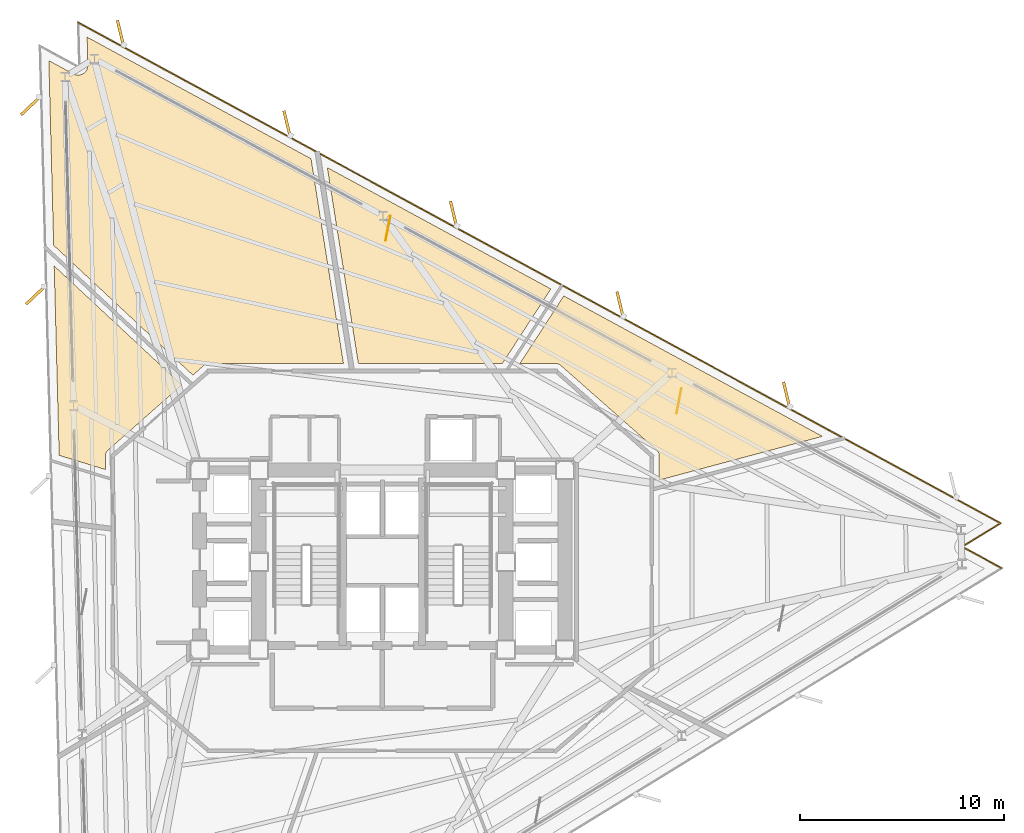
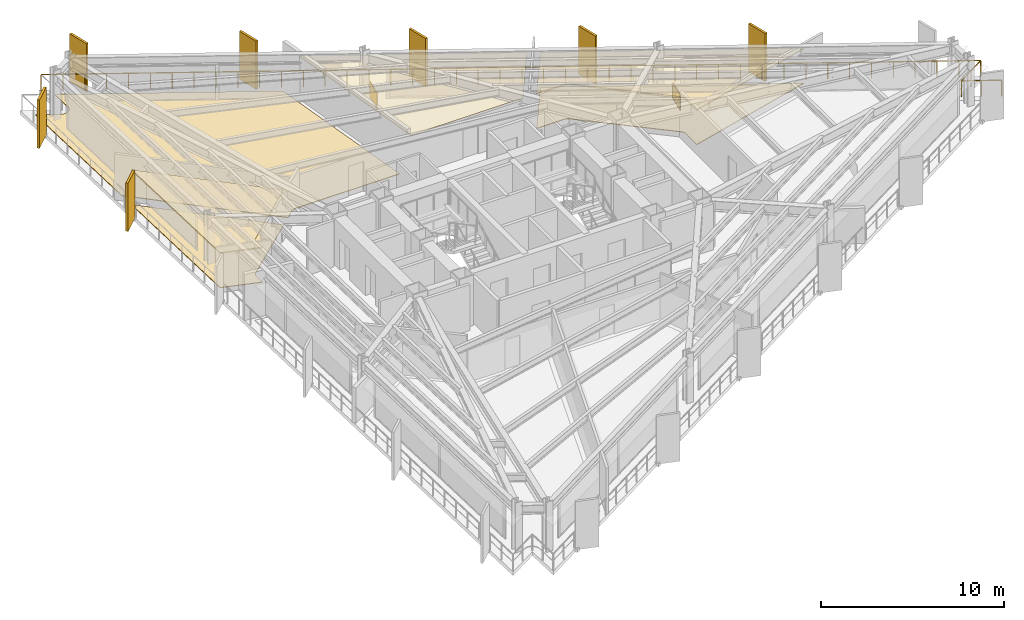
# One storey, part 14 of 14: 8 coverings, 7 shading devices, 1 railing.
"""IFC4 building model written with IfcOpenShell, lengths in metres."""

from ifc_helpers import new_model, si_unit, direction, frame, origin, origin_2d, place, context, subcontext, project, spatial, polyline, rectangle, outline, extrude, material, layer, layer_set, type_object, element, save


model = new_model("IFC4")

# Units and contexts
model_context = context("Model", 3, precision=1e-05, world=origin(), true_north=direction((0.0, 1.0)))
body_context = subcontext(model_context, "Body", "Model", "MODEL_VIEW")
ifc_project = project(units=[si_unit("LENGTHUNIT", "METRE"), si_unit("AREAUNIT", "SQUARE_METRE"), si_unit("VOLUMEUNIT", "CUBIC_METRE"), si_unit("PLANEANGLEUNIT", "RADIAN"), si_unit("MASSUNIT", "GRAM", prefix="KILO")], contexts=[model_context])

# Site, building, storey
site_placement = place(None, origin())
site = spatial("IfcSite", under=ifc_project, at=site_placement, CompositionType="ELEMENT")
building_placement = place(site_placement, origin())
building = spatial("IfcBuilding", under=site, at=building_placement, Name="Rocaltana Carrier Exchange", CompositionType="ELEMENT")
storey_placement = place(building_placement, frame((0.0, 0.0, 35.679931640625)))
storey = spatial("IfcBuildingStorey", under=building, at=storey_placement, Name="L11", CompositionType="ELEMENT", Elevation=35.679931640625)

# Coverings
ifc_material_1 = material(Name="Honed Bogota Sandstone Tile", Category="masonry")
ifc_layer_1 = layer(ifc_material_1, 0.0400390625)
ifc_layer_set_1 = layer_set([ifc_layer_1], Name="Honed Bogota Sandstone Tile")
covering_type_1 = type_object("IfcCoveringType", Name="Honed Stone Lobby Flooring 40", PredefinedType="FLOORING", material=ifc_layer_set_1)
covering_1_placement = place(storey_placement, origin())
element("IfcCovering", 1, at=covering_1_placement, inside=storey, type_object=covering_type_1, Name="L11 Peering Conference Room Finish Floor", PredefinedType="FLOORING", context=body_context, shape_type="SweptSolid", body=[
    extrude(outline(polyline([(21.55126953125, 6.1474609375), (13.56005859375, 4.006103515625), (13.56005859375, 5.199951171875), (13.559814453125, 5.213134765625), (13.559326171875, 5.220703125), (13.556884765625, 5.246826171875), (13.555908203125, 5.25439453125), (13.55078125, 5.2802734375), (13.549072265625, 5.28759765625), (13.541748046875, 5.31298828125), (13.539306640625, 5.320068359375), (13.529541015625, 5.344482421875), (13.526611328125, 5.351318359375), (13.5146484375, 5.375), (13.5107421875, 5.38134765625), (13.49658203125, 5.40380859375), (13.492431640625, 5.409912109375), (13.476318359375, 5.4306640625), (13.471435546875, 5.436279296875), (13.453369140625, 5.455810546875), (13.447998046875, 5.4609375), (13.438232421875, 5.469970703125), (8.73828125, 9.619873046875), (8.727294921875, 9.629150390625), (8.720703125, 9.63427734375), (8.697265625, 9.651123046875), (8.690185546875, 9.655517578125), (8.6650390625, 9.669921875), (8.65771484375, 9.673583984375), (8.631103515625, 9.68505859375), (8.62353515625, 9.68798828125), (8.595947265625, 9.697021484375), (8.587890625, 9.698974609375), (8.5595703125, 9.704833984375), (8.551513671875, 9.706298828125), (8.522705078125, 9.709228515625), (8.514404296875, 9.709716796875), (8.5, 9.7099609375), (6.735107421875, 9.7099609375), (8.886962890625, 13.023681640625), (21.55126953125, 6.1474609375)])), origin(), (0.0, 0.0, 1.0), 0.0400390625),
])
covering_2_placement = place(storey_placement, origin())
element("IfcCovering", 2, at=covering_2_placement, inside=storey, type_object=covering_type_1, Name="L11 Incident Briefing Room Finish Floor", PredefinedType="FLOORING", context=body_context, shape_type="SweptSolid", body=[
    extrude(outline(polyline([(-16.333984375, 24.54931640625), (-15.131103515625, 23.896484375), (-15.118896484375, 23.889892578125), (-15.100830078125, 23.88134765625), (-15.0751953125, 23.87060546875), (-15.056396484375, 23.86376953125), (-15.02978515625, 23.855712890625), (-15.01025390625, 23.8505859375), (-14.98291015625, 23.84521484375), (-14.96337890625, 23.84228515625), (-14.935546875, 23.839599609375), (-14.91552734375, 23.83837890625), (-14.8876953125, 23.838623046875), (-14.86767578125, 23.839599609375), (-14.840087890625, 23.84228515625), (-14.8203125, 23.845458984375), (-14.79296875, 23.85107421875), (-14.773681640625, 23.85595703125), (-14.746826171875, 23.8642578125), (-14.728271484375, 23.87109375), (-14.702392578125, 23.8818359375), (-14.6845703125, 23.890625), (-14.659912109375, 23.90380859375), (-14.64306640625, 23.914306640625), (-14.6201171875, 23.93017578125), (-14.60400390625, 23.942138671875), (-14.582763671875, 23.960205078125), (-14.568115234375, 23.9736328125), (-14.548583984375, 23.99365234375), (-14.535400390625, 24.0087890625), (-14.51806640625, 24.030517578125), (-14.506591796875, 24.046630859375), (-14.491455078125, 24.0703125), (-14.4814453125, 24.08740234375), (-14.46875, 24.1123046875), (-14.460693359375, 24.130615234375), (-14.450439453125, 24.156494140625), (-14.444091796875, 24.17529296875), (-14.4365234375, 24.202392578125), (-14.43212890625, 24.2216796875), (-14.42724609375, 24.249267578125), (-14.4248046875, 24.26904296875), (-14.4228515625, 24.296875), (-14.42236328125, 24.31689453125), (-14.42236328125, 24.330810546875), (-14.458251953125, 25.698974609375), (-3.49169921875, 19.74462890625), (-1.90234375, 9.7099609375), (-8.5, 9.7099609375), (-8.514404296875, 9.709716796875), (-8.522705078125, 9.709228515625), (-8.551513671875, 9.706298828125), (-8.5595703125, 9.704833984375), (-8.587890625, 9.698974609375), (-8.595947265625, 9.697021484375), (-8.62353515625, 9.68798828125), (-8.631103515625, 9.68505859375), (-8.65771484375, 9.673583984375), (-8.6650390625, 9.669921875), (-8.690185546875, 9.655517578125), (-8.697265625, 9.651123046875), (-8.720703125, 9.63427734375), (-8.727294921875, 9.629150390625), (-8.73828125, 9.619873046875), (-9.277587890625, 9.143798828125), (-16.09716796875, 15.5029296875), (-16.333984375, 24.54931640625)])), origin(), (0.0, 0.0, 1.0), 0.0400390625),
])
covering_3_placement = place(storey_placement, origin())
element("IfcCovering", 3, at=covering_3_placement, inside=storey, type_object=covering_type_1, Name="L11 Carrier Peering Suite Finish Floor", PredefinedType="FLOORING", context=body_context, shape_type="SweptSolid", body=[
    extrude(outline(polyline([(-16.07080078125, 14.493896484375), (-9.81982421875, 8.664794921875), (-13.438232421875, 5.469970703125), (-13.447998046875, 5.4609375), (-13.453369140625, 5.455810546875), (-13.471435546875, 5.436279296875), (-13.476318359375, 5.4306640625), (-13.492431640625, 5.409912109375), (-13.49658203125, 5.40380859375), (-13.5107421875, 5.38134765625), (-13.5146484375, 5.375), (-13.526611328125, 5.351318359375), (-13.529541015625, 5.344482421875), (-13.539306640625, 5.320068359375), (-13.541748046875, 5.31298828125), (-13.549072265625, 5.28759765625), (-13.55078125, 5.2802734375), (-13.555908203125, 5.25439453125), (-13.556884765625, 5.246826171875), (-13.559326171875, 5.220703125), (-13.559814453125, 5.213134765625), (-13.56005859375, 5.199951171875), (-13.56005859375, 4.522216796875), (-15.82763671875, 5.215576171875), (-16.07080078125, 14.493896484375)])), origin(), (0.0, 0.0, 1.0), 0.0400390625),
])
ifc_material_2 = material(Name="Anodised Aluminium 6063-T6", Category="aluminium")
ifc_layer_2 = layer(ifc_material_2, 0.0849609375)
ifc_layer_set_2 = layer_set([ifc_layer_2], Name="Anodised Aluminium 6063-T6")
covering_type_2 = type_object("IfcCoveringType", Name="Linear Baffle Acoustic Ceiling 85", PredefinedType="CEILING", material=ifc_layer_set_2)
covering_4_placement = place(storey_placement, frame((0.0, 0.0, 2.282958984375)))
element("IfcCovering", 4, at=covering_4_placement, inside=storey, type_object=covering_type_2, Name="L11 Peering Conference Room Acoustic Ceiling", PredefinedType="CEILING", context=body_context, shape_type="SweptSolid", body=[
    extrude(outline(polyline([(21.55126953125, 6.1474609375), (13.56005859375, 4.006103515625), (13.56005859375, 5.199951171875), (13.559814453125, 5.213134765625), (13.559326171875, 5.220703125), (13.556884765625, 5.246826171875), (13.555908203125, 5.25439453125), (13.55078125, 5.2802734375), (13.549072265625, 5.28759765625), (13.541748046875, 5.31298828125), (13.539306640625, 5.320068359375), (13.529541015625, 5.344482421875), (13.526611328125, 5.351318359375), (13.5146484375, 5.375), (13.5107421875, 5.38134765625), (13.49658203125, 5.40380859375), (13.492431640625, 5.409912109375), (13.476318359375, 5.4306640625), (13.471435546875, 5.436279296875), (13.453369140625, 5.455810546875), (13.447998046875, 5.4609375), (13.438232421875, 5.469970703125), (8.73828125, 9.619873046875), (8.727294921875, 9.629150390625), (8.720703125, 9.63427734375), (8.697265625, 9.651123046875), (8.690185546875, 9.655517578125), (8.6650390625, 9.669921875), (8.65771484375, 9.673583984375), (8.631103515625, 9.68505859375), (8.62353515625, 9.68798828125), (8.595947265625, 9.697021484375), (8.587890625, 9.698974609375), (8.5595703125, 9.704833984375), (8.551513671875, 9.706298828125), (8.522705078125, 9.709228515625), (8.514404296875, 9.709716796875), (8.5, 9.7099609375), (6.735107421875, 9.7099609375), (8.886962890625, 13.023681640625), (21.55126953125, 6.1474609375)])), origin(), (0.0, 0.0, 1.0), 0.085205078125),
])
covering_5_placement = place(storey_placement, frame((0.0, 0.0, 2.282958984375)))
element("IfcCovering", 5, at=covering_5_placement, inside=storey, type_object=covering_type_2, Name="L11 Quiet Focus Lounge Acoustic Ceiling", PredefinedType="CEILING", context=body_context, shape_type="SweptSolid", body=[
    extrude(outline(polyline([(8.252197265625, 13.3681640625), (5.87646484375, 9.7099609375), (-1.17333984375, 9.7099609375), (-2.694091796875, 19.3115234375), (8.252197265625, 13.3681640625)])), origin(), (0.0, 0.0, 1.0), 0.085205078125),
])
covering_6_placement = place(storey_placement, frame((0.0, 0.0, 2.282958984375)))
element("IfcCovering", 6, at=covering_6_placement, inside=storey, type_object=covering_type_2, Name="L11 Carrier Peering Suite Acoustic Ceiling", PredefinedType="CEILING", context=body_context, shape_type="SweptSolid", body=[
    extrude(outline(polyline([(-16.07080078125, 14.493896484375), (-9.81982421875, 8.664794921875), (-13.438232421875, 5.469970703125), (-13.447998046875, 5.4609375), (-13.453369140625, 5.455810546875), (-13.471435546875, 5.436279296875), (-13.476318359375, 5.4306640625), (-13.492431640625, 5.409912109375), (-13.49658203125, 5.40380859375), (-13.5107421875, 5.38134765625), (-13.5146484375, 5.375), (-13.526611328125, 5.351318359375), (-13.529541015625, 5.344482421875), (-13.539306640625, 5.320068359375), (-13.541748046875, 5.31298828125), (-13.549072265625, 5.28759765625), (-13.55078125, 5.2802734375), (-13.555908203125, 5.25439453125), (-13.556884765625, 5.246826171875), (-13.559326171875, 5.220703125), (-13.559814453125, 5.213134765625), (-13.56005859375, 5.199951171875), (-13.56005859375, 4.522216796875), (-15.82763671875, 5.215576171875), (-16.07080078125, 14.493896484375)])), origin(), (0.0, 0.0, 1.0), 0.085205078125),
])
ifc_material_3 = material(Name="Honed Piedra Muneca Sandstone", Category="masonry")
ifc_layer_3 = layer(ifc_material_3, 0.034912109375)
ifc_layer_set_3 = layer_set([ifc_layer_3], Name="Honed Piedra Muneca Sandstone")
covering_type_3 = type_object("IfcCoveringType", Name="Stone Facade Cladding 35", PredefinedType="CLADDING", material=ifc_layer_set_3)
for number, where, z_axis, x_axis, name in (
    (7, (14.529052734375, 7.883544921875, 0.0), (0.0, 0.0, 1.0), (0.190808995377, 0.981627183448, 0.0), "L11 Stone Facade Cladding Panel 6"),
    (8, (0.277587890625, 16.33984375, 0.0), (0.0, 0.0, 1.0), (0.190808995377, 0.981627183448, 0.0), "L11 Stone Facade Cladding Panel 7"),
):
    element("IfcCovering", number, at=place(storey_placement, frame(where, z_axis=z_axis, x_axis=x_axis)), inside=storey, type_object=covering_type_3, Name=name, PredefinedType="CLADDING", context=body_context, shape_type="SweptSolid", body=[
        extrude(rectangle(XDim=1.25, YDim=0.034912109375, at=origin_2d()), origin(), (0.0, 0.0, 1.0), 1.050048828125),
    ])

# Shading devices
ifc_material_4 = material(Name="Honed Bogota Sandstone & Concrete C45/55", Category="masonry")
ifc_layer_4 = layer(ifc_material_4, 0.139892578125)
ifc_layer_set_4 = layer_set([ifc_layer_4], Name="Honed Bogota Sandstone & Concrete C45/55")
shading_device_type = type_object("IfcShadingDeviceType", Name="Vertical Sandstone Shading Fin 1320x140", PredefinedType="USERDEFINED", material=ifc_layer_set_4)
for number, where, z_axis, x_axis, name in (
    (9, (19.802001953125, 8.16748046875, -0.1201171875), (0.0, 0.0, 1.0), (-0.233445363856, 0.972369920398, 0.0), "L11 Sandstone Vertical Fin F1-02"),
    (10, (11.646484375, 12.595703125, -0.1201171875), (0.0, 0.0, 1.0), (-0.233445363856, 0.972369920398, 0.0), "L11 Sandstone Vertical Fin F1-03"),
    (11, (3.4912109375, 17.023681640625, -0.1201171875), (0.0, 0.0, 1.0), (-0.233445363856, 0.972369920398, 0.0), "L11 Sandstone Vertical Fin F1-04"),
    (12, (-4.664306640625, 21.45166015625, -0.1201171875), (0.0, 0.0, 1.0), (-0.233445363856, 0.972369920398, 0.0), "L11 Sandstone Vertical Fin F1-05"),
    (13, (-12.819580078125, 25.879638671875, -0.1201171875), (0.0, 0.0, 1.0), (-0.233445363856, 0.972369920398, 0.0), "L11 Sandstone Vertical Fin F1-06"),
    (14, (-17.21728515625, 22.342041015625, -0.1201171875), (0.0, 0.0, 1.0), (-0.725374371012, -0.688354575694, 0.0), "L11 Sandstone Vertical Fin F2-01"),
    (15, (-16.974365234375, 13.065185546875, -0.1201171875), (0.0, 0.0, 1.0), (-0.725374371012, -0.688354575694, 0.0), "L11 Sandstone Vertical Fin F2-02"),
):
    element("IfcShadingDevice", number, at=place(storey_placement, frame(where, z_axis=z_axis, x_axis=x_axis)), inside=storey, type_object=shading_device_type, Name=name, ObjectType="FIN", PredefinedType="USERDEFINED", context=body_context, shape_type="SweptSolid", body=[
        extrude(rectangle(XDim=1.320068359375, YDim=0.139892578125, at=origin_2d()), origin(), (0.0, 0.0, 1.0), 3.218017578125),
    ])

# Railing
ifc_material_5 = material(Name="Powder-Coated Aluminium 6063-T6", Category="aluminium")
ifc_layer_5 = layer(ifc_material_5, 0.06005859375)
ifc_layer_set_5 = layer_set([ifc_layer_5], Name="Powder-Coated Aluminium 6063-T6")
railing_type = type_object("IfcRailingType", Name="Wind-Floor & Terrace Perimeter Guardrail 1100", PredefinedType="GUARDRAIL", material=ifc_layer_set_5)
railing_placement = place(storey_placement, frame((-14.897216796875, 26.415283203125, 0.0)))
element("IfcRailing", 16, at=railing_placement, inside=storey, type_object=railing_type, Name="L11 Perimeter Balcony Guardrail 3", PredefinedType="GUARDRAIL", context=body_context, shape_type="SweptSolid", body=[
    extrude(rectangle(XDim=0.048095703125, YDim=0.048095703125, at=origin_2d()), frame((0.0, 0.0, 1.076171875), z_axis=(0.878817120119, -0.477158746526, 0.0), x_axis=(0.477158746526, 0.878817120119, 0.0)), (0.0, 0.0, 1.0), 51.39208984375),
    extrude(rectangle(XDim=0.048095703125, YDim=0.048095703125, at=origin_2d()), frame((45.164306640625, -24.522216796875, 1.076171875), z_axis=(-0.852598062579, -0.522567262356, 0.0), x_axis=(0.522567262356, -0.852598062579, 0.0)), (0.0, 0.0, 1.0), 2.199951171875),
    extrude(rectangle(XDim=0.048095703125, YDim=0.048095703125, at=origin_2d()), frame((43.28857421875, -25.671875, 1.076171875), z_axis=(0.878801578058, -0.477187370331, 0.0), x_axis=(0.477187370331, 0.878801578058, 0.0)), (0.0, 0.0, 1.0), 2.199951171875),
    extrude(rectangle(XDim=0.0419921875, YDim=0.0419921875, at=origin_2d()), origin(), (0.0, 0.0, 1.0), 1.052001953125),
    extrude(rectangle(XDim=0.0419921875, YDim=0.0419921875, at=origin_2d()), frame((1.05029296875, -0.5703125, 0.0)), (0.0, 0.0, 1.0), 1.052001953125),
    extrude(rectangle(XDim=0.0419921875, YDim=0.0419921875, at=origin_2d()), frame((2.1005859375, -1.140625, 0.0)), (0.0, 0.0, 1.0), 1.052001953125),
    extrude(rectangle(XDim=0.0419921875, YDim=0.0419921875, at=origin_2d()), frame((3.15087890625, -1.7109375, 0.0)), (0.0, 0.0, 1.0), 1.052001953125),
    extrude(rectangle(XDim=0.0419921875, YDim=0.0419921875, at=origin_2d()), frame((4.201416015625, -2.28125, 0.0)), (0.0, 0.0, 1.0), 1.052001953125),
    extrude(rectangle(XDim=0.0419921875, YDim=0.0419921875, at=origin_2d()), frame((5.251708984375, -2.851318359375, 0.0)), (0.0, 0.0, 1.0), 1.052001953125),
    extrude(rectangle(XDim=0.0419921875, YDim=0.0419921875, at=origin_2d()), frame((6.302001953125, -3.421630859375, 0.0)), (0.0, 0.0, 1.0), 1.052001953125),
    extrude(rectangle(XDim=0.0419921875, YDim=0.0419921875, at=origin_2d()), frame((7.352294921875, -3.991943359375, 0.0)), (0.0, 0.0, 1.0), 1.052001953125),
    extrude(rectangle(XDim=0.0419921875, YDim=0.0419921875, at=origin_2d()), frame((8.402587890625, -4.562255859375, 0.0)), (0.0, 0.0, 1.0), 1.052001953125),
    extrude(rectangle(XDim=0.0419921875, YDim=0.0419921875, at=origin_2d()), frame((9.452880859375, -5.132568359375, 0.0)), (0.0, 0.0, 1.0), 1.052001953125),
    extrude(rectangle(XDim=0.0419921875, YDim=0.0419921875, at=origin_2d()), frame((10.50341796875, -5.702880859375, 0.0)), (0.0, 0.0, 1.0), 1.052001953125),
    extrude(rectangle(XDim=0.0419921875, YDim=0.0419921875, at=origin_2d()), frame((11.5537109375, -6.273193359375, 0.0)), (0.0, 0.0, 1.0), 1.052001953125),
    extrude(rectangle(XDim=0.0419921875, YDim=0.0419921875, at=origin_2d()), frame((12.60400390625, -6.843505859375, 0.0)), (0.0, 0.0, 1.0), 1.052001953125),
    extrude(rectangle(XDim=0.0419921875, YDim=0.0419921875, at=origin_2d()), frame((13.654296875, -7.41357421875, 0.0)), (0.0, 0.0, 1.0), 1.052001953125),
    extrude(rectangle(XDim=0.0419921875, YDim=0.0419921875, at=origin_2d()), frame((14.70458984375, -7.98388671875, 0.0)), (0.0, 0.0, 1.0), 1.052001953125),
    extrude(rectangle(XDim=0.0419921875, YDim=0.0419921875, at=origin_2d()), frame((15.7548828125, -8.55419921875, 0.0)), (0.0, 0.0, 1.0), 1.052001953125),
    extrude(rectangle(XDim=0.0419921875, YDim=0.0419921875, at=origin_2d()), frame((16.805419921875, -9.12451171875, 0.0)), (0.0, 0.0, 1.0), 1.052001953125),
    extrude(rectangle(XDim=0.0419921875, YDim=0.0419921875, at=origin_2d()), frame((17.855712890625, -9.69482421875, 0.0)), (0.0, 0.0, 1.0), 1.052001953125),
    extrude(rectangle(XDim=0.0419921875, YDim=0.0419921875, at=origin_2d()), frame((18.906005859375, -10.26513671875, 0.0)), (0.0, 0.0, 1.0), 1.052001953125),
    extrude(rectangle(XDim=0.0419921875, YDim=0.0419921875, at=origin_2d()), frame((19.956298828125, -10.83544921875, 0.0)), (0.0, 0.0, 1.0), 1.052001953125),
    extrude(rectangle(XDim=0.0419921875, YDim=0.0419921875, at=origin_2d()), frame((21.006591796875, -11.40576171875, 0.0)), (0.0, 0.0, 1.0), 1.052001953125),
    extrude(rectangle(XDim=0.0419921875, YDim=0.0419921875, at=origin_2d()), frame((22.056884765625, -11.97607421875, 0.0)), (0.0, 0.0, 1.0), 1.052001953125),
    extrude(rectangle(XDim=0.0419921875, YDim=0.0419921875, at=origin_2d()), frame((23.107421875, -12.546142578125, 0.0)), (0.0, 0.0, 1.0), 1.052001953125),
    extrude(rectangle(XDim=0.0419921875, YDim=0.0419921875, at=origin_2d()), frame((24.15771484375, -13.116455078125, 0.0)), (0.0, 0.0, 1.0), 1.052001953125),
    extrude(rectangle(XDim=0.0419921875, YDim=0.0419921875, at=origin_2d()), frame((25.2080078125, -13.686767578125, 0.0)), (0.0, 0.0, 1.0), 1.052001953125),
    extrude(rectangle(XDim=0.0419921875, YDim=0.0419921875, at=origin_2d()), frame((26.25830078125, -14.257080078125, 0.0)), (0.0, 0.0, 1.0), 1.052001953125),
    extrude(rectangle(XDim=0.0419921875, YDim=0.0419921875, at=origin_2d()), frame((27.30859375, -14.827392578125, 0.0)), (0.0, 0.0, 1.0), 1.052001953125),
    extrude(rectangle(XDim=0.0419921875, YDim=0.0419921875, at=origin_2d()), frame((28.35888671875, -15.397705078125, 0.0)), (0.0, 0.0, 1.0), 1.052001953125),
    extrude(rectangle(XDim=0.0419921875, YDim=0.0419921875, at=origin_2d()), frame((29.409423828125, -15.968017578125, 0.0)), (0.0, 0.0, 1.0), 1.052001953125),
    extrude(rectangle(XDim=0.0419921875, YDim=0.0419921875, at=origin_2d()), frame((30.459716796875, -16.538330078125, 0.0)), (0.0, 0.0, 1.0), 1.052001953125),
    extrude(rectangle(XDim=0.0419921875, YDim=0.0419921875, at=origin_2d()), frame((31.510009765625, -17.108642578125, 0.0)), (0.0, 0.0, 1.0), 1.052001953125),
    extrude(rectangle(XDim=0.0419921875, YDim=0.0419921875, at=origin_2d()), frame((32.560302734375, -17.6787109375, 0.0)), (0.0, 0.0, 1.0), 1.052001953125),
    extrude(rectangle(XDim=0.0419921875, YDim=0.0419921875, at=origin_2d()), frame((33.610595703125, -18.2490234375, 0.0)), (0.0, 0.0, 1.0), 1.052001953125),
    extrude(rectangle(XDim=0.0419921875, YDim=0.0419921875, at=origin_2d()), frame((34.660888671875, -18.8193359375, 0.0)), (0.0, 0.0, 1.0), 1.052001953125),
    extrude(rectangle(XDim=0.0419921875, YDim=0.0419921875, at=origin_2d()), frame((35.71142578125, -19.3896484375, 0.0)), (0.0, 0.0, 1.0), 1.052001953125),
    extrude(rectangle(XDim=0.0419921875, YDim=0.0419921875, at=origin_2d()), frame((36.76171875, -19.9599609375, 0.0)), (0.0, 0.0, 1.0), 1.052001953125),
    extrude(rectangle(XDim=0.0419921875, YDim=0.0419921875, at=origin_2d()), frame((37.81201171875, -20.5302734375, 0.0)), (0.0, 0.0, 1.0), 1.052001953125),
    extrude(rectangle(XDim=0.0419921875, YDim=0.0419921875, at=origin_2d()), frame((38.8623046875, -21.1005859375, 0.0)), (0.0, 0.0, 1.0), 1.052001953125),
    extrude(rectangle(XDim=0.0419921875, YDim=0.0419921875, at=origin_2d()), frame((39.91259765625, -21.6708984375, 0.0)), (0.0, 0.0, 1.0), 1.052001953125),
    extrude(rectangle(XDim=0.0419921875, YDim=0.0419921875, at=origin_2d()), frame((40.962890625, -22.240966796875, 0.0)), (0.0, 0.0, 1.0), 1.052001953125),
    extrude(rectangle(XDim=0.0419921875, YDim=0.0419921875, at=origin_2d()), frame((42.013427734375, -22.811279296875, 0.0)), (0.0, 0.0, 1.0), 1.052001953125),
    extrude(rectangle(XDim=0.0419921875, YDim=0.0419921875, at=origin_2d()), frame((43.063720703125, -23.381591796875, 0.0)), (0.0, 0.0, 1.0), 1.052001953125),
    extrude(rectangle(XDim=0.0419921875, YDim=0.0419921875, at=origin_2d()), frame((44.114013671875, -23.951904296875, 0.0)), (0.0, 0.0, 1.0), 1.052001953125),
    extrude(rectangle(XDim=0.0419921875, YDim=0.0419921875, at=origin_2d()), frame((45.164306640625, -24.522216796875, 0.0)), (0.0, 0.0, 1.0), 1.052001953125),
    extrude(rectangle(XDim=0.0419921875, YDim=0.0419921875, at=origin_2d()), frame((44.2265625, -25.09716796875, 0.0)), (0.0, 0.0, 1.0), 1.052001953125),
    extrude(rectangle(XDim=0.0419921875, YDim=0.0419921875, at=origin_2d()), frame((43.28857421875, -25.671875, 0.0)), (0.0, 0.0, 1.0), 1.052001953125),
    extrude(rectangle(XDim=0.0419921875, YDim=0.0419921875, at=origin_2d()), frame((44.25537109375, -26.19677734375, 0.0)), (0.0, 0.0, 1.0), 1.052001953125),
    extrude(rectangle(XDim=0.0419921875, YDim=0.0419921875, at=origin_2d()), frame((45.221923828125, -26.7216796875, 0.0)), (0.0, 0.0, 1.0), 1.052001953125),
])

save(model, "model.ifc")
